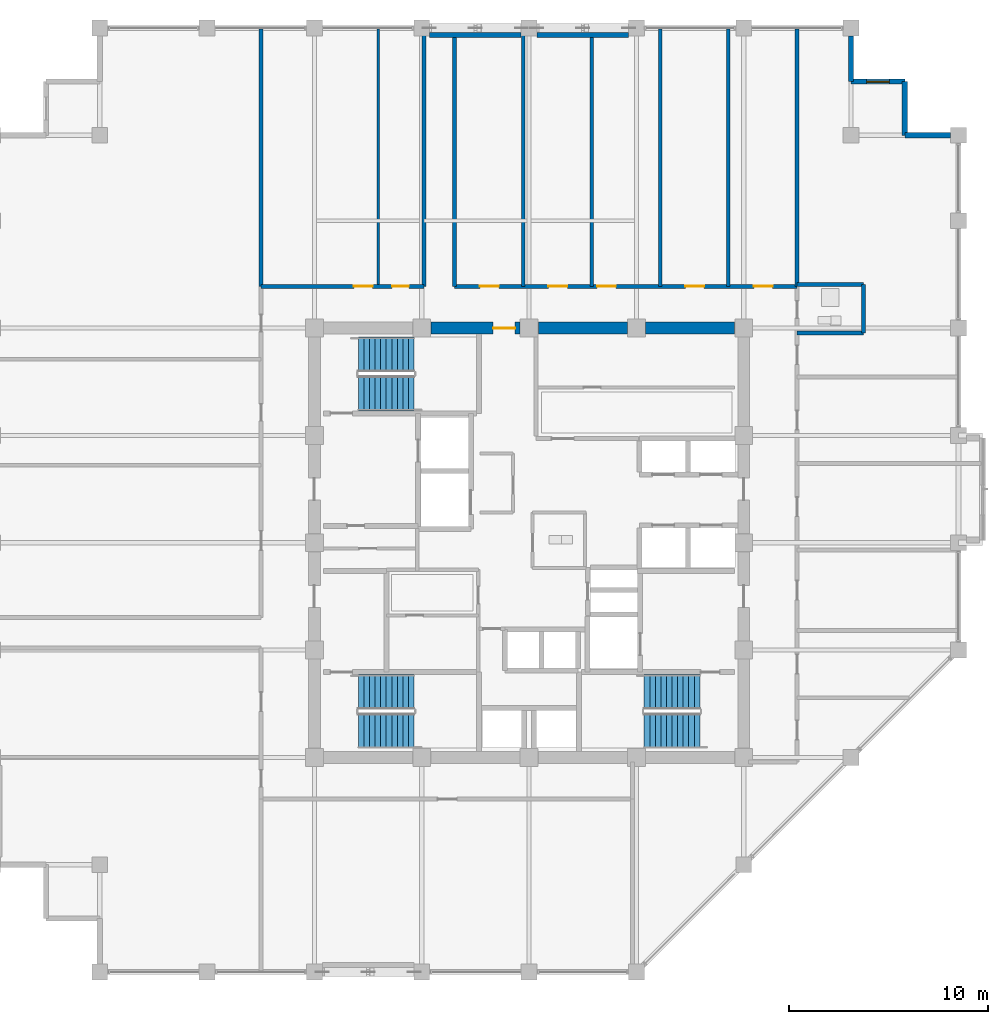
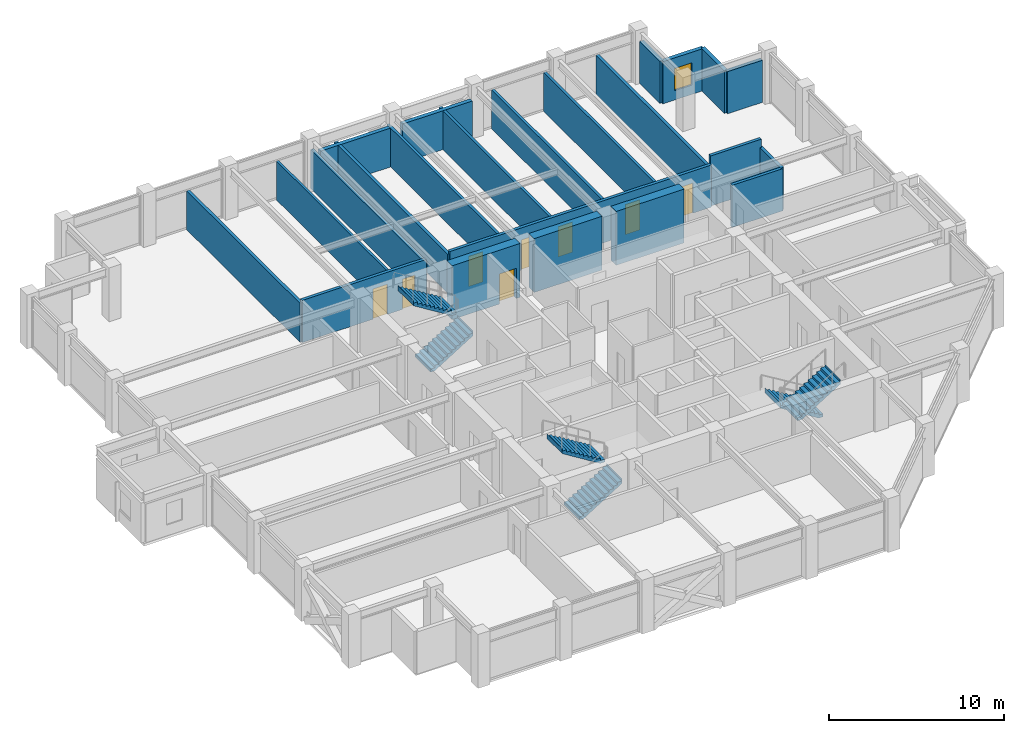
# One storey, part 25 of 28: 23 walls, 8 doors, 6 stair flights, 1 window, 9 openings, 3 elements without a shape of their own.
"""IFC4 building model written with IfcOpenShell, lengths in metres."""

from ifc_helpers import new_model, si_unit, direction, frame, frame_2d, origin, place, context, subcontext, project, spatial, polyline, rectangle, outline, extrude, material, layer, layer_set, type_object, element, fill, aggregate, save


model = new_model("IFC4")

# Units and contexts
model_context = context("Model", 3, precision=1e-05, world=origin(), true_north=direction((0.0, 1.0)))
body_context = subcontext(model_context, "Body", "Model", "MODEL_VIEW")
ifc_project = project(units=[si_unit("LENGTHUNIT", "METRE"), si_unit("AREAUNIT", "SQUARE_METRE"), si_unit("VOLUMEUNIT", "CUBIC_METRE"), si_unit("PLANEANGLEUNIT", "RADIAN"), si_unit("MASSUNIT", "GRAM", prefix="KILO")], contexts=[model_context])

# Site, building, storey
site_placement = place(None, origin())
site = spatial("IfcSite", under=ifc_project, at=site_placement, CompositionType="ELEMENT")
building_placement = place(site_placement, origin())
building = spatial("IfcBuilding", under=site, at=building_placement, Name="Surkhivell Harbour Commons", CompositionType="ELEMENT")
storey_placement = place(building_placement, frame((0.0, 0.0, 246.0)))
storey = spatial("IfcBuildingStorey", under=building, at=storey_placement, Name="L64", CompositionType="ELEMENT", Elevation=246.0)

# Wall, opening, door
ifc_material_1 = material(Name="Concrete C60/75", Category="concrete")
ifc_layer_1 = layer(ifc_material_1, 0.60009765625)
ifc_layer_set_1 = layer_set([ifc_layer_1], Name="Concrete C60/75")
wall_type_1 = type_object("IfcWallType", Name="WAL-CORE-600", PredefinedType="SHEAR", material=ifc_layer_set_1)
wall_1_placement = place(storey_placement, frame((-4.93994140625, 10.800048828125, 0.0), z_axis=(0.0, 0.0, 1.0), x_axis=(1.0, 0.0, 0.0)))
wall_1 = element("IfcWall", 1, at=wall_1_placement, inside=storey, type_object=wall_type_1, Name="L64 Core Shear Wall North 2", PredefinedType="SHEAR", context=body_context, shape_type="SweptSolid", body=[
    extrude(rectangle(XDim=4.47998046875, YDim=0.60009765625, at=frame_2d((2.239990234375, 0.0))), origin(), (0.0, 0.0, 1.0), 3.75),
])
opening_1_placement = place(wall_1_placement, frame((3.1298828125, 0.0, 0.0)))
opening_1 = element("IfcOpeningElement", 2, at=opening_1_placement, cuts=wall_1, Name="Opening ID-2", PredefinedType="OPENING", context=body_context, shape_type="SweptSolid", body=[
    extrude(rectangle(XDim=1.10009765625, YDim=2.10009765625, at=frame_2d((0.550048828125, 1.050048828125))), frame((0.0, 0.31005859375, 0.0), z_axis=(0.0, -1.0, 0.0), x_axis=(1.0, 0.0, 0.0)), (0.0, 0.0, 1.0), 0.6201171875),
])
ifc_material_2 = material(Name="Hardwood-veneered fire-rated door leaf", Category="wood")
door_type_1 = type_object("IfcDoorType", Name="DOR-FD60-1100", OperationType="NOTDEFINED", PredefinedType="DOOR", material=ifc_material_2)
door_1_placement = place(opening_1_placement, origin())
door_1 = element("IfcDoor", 3, at=door_1_placement, inside=storey, type_object=door_type_1, Name="L64 Central Core Lift Hall North Corridor Door", OperationType="SINGLE_SWING_LEFT", OverallHeight=2.10009765625, OverallWidth=1.10009765625, PredefinedType="DOOR", context=body_context, shape_type="SweptSolid", body=[
    extrude(rectangle(XDim=1.10009765625, YDim=2.10009765625, at=frame_2d((0.550048828125, 1.050048828125))), frame((0.0, 0.02490234375, 0.0), z_axis=(0.0, -1.0, 0.0), x_axis=(1.0, 0.0, 0.0)), (0.0, 0.0, 1.0), 0.050048828125),
])
fill(opening_1, door_1)

# Walls
for number, where, z_axis, x_axis, name in (
    (4, (0.4599609375, 10.800048828125, 0.0), (0.0, 0.0, 1.0), (1.0, 0.0, 0.0), "L64 Core Shear Wall North 3"),
    (5, (5.860107421875, 10.800048828125, 0.0), (0.0, 0.0, 1.0), (1.0, 0.0, 0.0), "L64 Core Shear Wall North 4"),
):
    element("IfcWall", number, at=place(storey_placement, frame(where, z_axis=z_axis, x_axis=x_axis)), inside=storey, type_object=wall_type_1, Name=name, PredefinedType="SHEAR", context=body_context, shape_type="SweptSolid", body=[
        extrude(rectangle(XDim=4.47998046875, YDim=0.60009765625, at=frame_2d((2.239990234375, 0.0))), origin(), (0.0, 0.0, 1.0), 3.75),
    ])
ifc_material_3 = material(Name="Pale-metal insulated precast concrete C45/55", Category="concrete")
ifc_layer_2 = layer(ifc_material_3, 0.260009765625)
ifc_layer_set_2 = layer_set([ifc_layer_2], Name="Pale-metal insulated precast concrete C45/55")
wall_type_2 = type_object("IfcWallType", Name="WAL-EXT-MTL260", PredefinedType="STANDARD", material=ifc_layer_set_2)
wall_2_placement = place(storey_placement, frame((21.201904296875, 20.5, 0.0), z_axis=(0.0, 0.0, 1.0), x_axis=(-1.0, 0.0, 0.0)))
element("IfcWall", 6, at=wall_2_placement, inside=storey, type_object=wall_type_2, Name="L64 Serrated Corner Facade Wall 03", PredefinedType="STANDARD", context=body_context, shape_type="SweptSolid", body=[
    extrude(rectangle(XDim=2.302001953125, YDim=0.260009765625, at=frame_2d((1.15087890625, 0.0))), origin(), (0.0, 0.0, 1.0), 2.93603515625),
])
wall_3_placement = place(storey_placement, frame((18.89990234375, 20.5, 0.0), z_axis=(0.0, 0.0, 1.0), x_axis=(0.0, 1.0, 0.0)))
element("IfcWall", 7, at=wall_3_placement, inside=storey, type_object=wall_type_2, Name="L64 Serrated Corner Facade Wall 04", PredefinedType="STANDARD", context=body_context, shape_type="SweptSolid", body=[
    extrude(rectangle(XDim=2.699951171875, YDim=0.260009765625, at=frame_2d((1.35009765625, 0.0))), origin(), (0.0, 0.0, 1.0), 2.93603515625),
])

# Wall, opening, window
wall_4_placement = place(storey_placement, frame((18.89990234375, 23.199951171875, 0.0), z_axis=(0.0, 0.0, 1.0), x_axis=(-1.0, 0.0, 0.0)))
wall_4 = element("IfcWall", 8, at=wall_4_placement, inside=storey, type_object=wall_type_2, Name="L64 Serrated Corner Facade Wall 05", PredefinedType="STANDARD", context=body_context, shape_type="SweptSolid", body=[
    extrude(rectangle(XDim=2.699951171875, YDim=0.260009765625, at=frame_2d((1.35009765625, 0.0))), origin(), (0.0, 0.0, 1.0), 2.93603515625),
])
opening_2_placement = place(wall_4_placement, frame((0.77490234375, 0.0, 0.64990234375)))
opening_2 = element("IfcOpeningElement", 9, at=opening_2_placement, cuts=wall_4, Name="Opening WN-10", PredefinedType="OPENING", context=body_context, shape_type="SweptSolid", body=[
    extrude(rectangle(XDim=1.14990234375, YDim=1.550048828125, at=frame_2d((0.574951171875, 0.77490234375))), frame((0.0, 0.139892578125, 0.0), z_axis=(0.0, -1.0, 0.0), x_axis=(1.0, 0.0, 0.0)), (0.0, 0.0, 1.0), 0.280029296875),
])
ifc_material_4 = material(Name="Thermal-break aluminium frame and double low-E glazing", Category="aluminium")
window_type = type_object("IfcWindowType", Name="WIN-SER-1150x1550", PartitioningType="SINGLE_PANEL", PredefinedType="WINDOW", material=ifc_material_4)
window_placement = place(opening_2_placement, origin())
window = element("IfcWindow", 10, at=window_placement, inside=storey, type_object=window_type, Name="L64 Serrated Alcove Window 05", OverallHeight=1.550048828125, OverallWidth=1.14990234375, PartitioningType="SINGLE_PANEL", PredefinedType="WINDOW", context=body_context, shape_type="SweptSolid", body=[
    extrude(rectangle(XDim=1.14990234375, YDim=1.550048828125, at=frame_2d((0.574951171875, 0.77490234375))), frame((0.0, 0.030029296875, 0.0), z_axis=(0.0, -1.0, 0.0), x_axis=(1.0, 0.0, 0.0)), (0.0, 0.0, 1.0), 0.06005859375),
])
fill(opening_2, window)

# Walls
wall_5_placement = place(storey_placement, frame((16.199951171875, 23.199951171875, 0.0), z_axis=(0.0, 0.0, 1.0), x_axis=(0.0, 1.0, 0.0)))
element("IfcWall", 11, at=wall_5_placement, inside=storey, type_object=wall_type_2, Name="L64 Serrated Corner Facade Wall 06", PredefinedType="STANDARD", context=body_context, shape_type="SweptSolid", body=[
    extrude(rectangle(XDim=2.302001953125, YDim=0.260009765625, at=frame_2d((1.15087890625, 0.0))), origin(), (0.0, 0.0, 1.0), 2.93603515625),
])
for number, where, z_axis, x_axis, name in (
    (12, (-0.39794921875, 25.5400390625, 0.0), (0.0, 0.0, 1.0), (-1.0, 0.0, 0.0), "L64 Braced-Bay Insulated Spandrel Backing N"),
    (13, (5.001953125, 25.5400390625, 0.0), (0.0, 0.0, 1.0), (-1.0, 0.0, 0.0), "L64 Braced-Bay Insulated Spandrel Backing N2"),
):
    element("IfcWall", number, at=place(storey_placement, frame(where, z_axis=z_axis, x_axis=x_axis)), inside=storey, type_object=wall_type_2, Name=name, PredefinedType="STANDARD", context=body_context, shape_type="SweptSolid", body=[
        extrude(rectangle(XDim=4.60400390625, YDim=0.260009765625, at=frame_2d((2.302001953125, 0.0))), origin(), (0.0, 0.0, 1.0), 2.7099609375),
    ])
ifc_material_5 = material(Name="Twin-stud acoustic fireboard partition", Category="other")
ifc_layer_3 = layer(ifc_material_5, 0.14990234375)
ifc_layer_set_3 = layer_set([ifc_layer_3], Name="Twin-stud acoustic fireboard partition")
wall_type_3 = type_object("IfcWallType", Name="WAL-INT-150", PredefinedType="PARTITIONING", material=ifc_layer_set_3)
wall_6_placement = place(storey_placement, frame((-7.590087890625, 12.89990234375, 0.0), z_axis=(0.0, 0.0, 1.0), x_axis=(0.0, 1.0, 0.0)))
element("IfcWall", 14, at=wall_6_placement, inside=storey, type_object=wall_type_3, Name="L64 North-West Partition P1", PredefinedType="PARTITIONING", context=body_context, shape_type="SweptSolid", body=[
    extrude(rectangle(XDim=12.940185546875, YDim=0.14990234375, at=frame_2d((6.47021484375, 0.0))), origin(), (0.0, 0.0, 1.0), 2.7099609375),
])
ifc_material_6 = material(Name="High-density acoustic blockwork fire partition", Category="masonry")
ifc_layer_4 = layer(ifc_material_6, 0.175048828125)
ifc_layer_set_4 = layer_set([ifc_layer_4], Name="High-density acoustic blockwork fire partition")
wall_type_4 = type_object("IfcWallType", Name="WAL-INT-175", PredefinedType="PARTITIONING", material=ifc_layer_set_4)
for number, where, z_axis, x_axis, name in (
    (15, (-0.300048828125, 12.89990234375, 0.0), (0.0, 0.0, 1.0), (0.0, 1.0, 0.0), "L64 North-East Partition P1"),
    (16, (3.139892578125, 12.89990234375, 0.0), (0.0, 0.0, 1.0), (0.0, 1.0, 0.0), "L64 North-East Partition P2"),
    (17, (6.590087890625, 12.89990234375, 0.0), (0.0, 0.0, 1.0), (0.0, 1.0, 0.0), "L64 North-East Partition P3"),
    (18, (10.030029296875, 12.89990234375, 0.0), (0.0, 0.0, 1.0), (0.0, 1.0, 0.0), "L64 North-East Partition P4"),
):
    element("IfcWall", number, at=place(storey_placement, frame(where, z_axis=z_axis, x_axis=x_axis)), inside=storey, type_object=wall_type_4, Name=name, PredefinedType="PARTITIONING", context=body_context, shape_type="SweptSolid", body=[
        extrude(rectangle(XDim=12.940185546875, YDim=0.175048828125, at=frame_2d((6.47021484375, 0.0))), origin(), (0.0, 0.0, 1.0), 2.7099609375),
    ])
ifc_material_7 = material(Name="Autoclaved aerated concrete blockwork and fire plaster", Category="masonry")
ifc_layer_5 = layer(ifc_material_7, 0.199951171875)
ifc_layer_set_5 = layer_set([ifc_layer_5], Name="Autoclaved aerated concrete blockwork and fire plaster")
wall_type_5 = type_object("IfcWallType", Name="WAL-INT-200", PredefinedType="PARTITIONING", material=ifc_layer_set_5)
for number, where, z_axis, x_axis, name in (
    (19, (13.47998046875, 12.89990234375, 0.0), (0.0, 0.0, 1.0), (0.0, 1.0, 0.0), "L64 North-East Corner Wall"),
    (20, (-13.47998046875, 12.89990234375, 0.0), (0.0, 0.0, 1.0), (0.0, 1.0, 0.0), "L64 North-West Corner Wall"),
):
    element("IfcWall", number, at=place(storey_placement, frame(where, z_axis=z_axis, x_axis=x_axis)), inside=storey, type_object=wall_type_5, Name=name, PredefinedType="PARTITIONING", context=body_context, shape_type="SweptSolid", body=[
        extrude(rectangle(XDim=12.940185546875, YDim=0.199951171875, at=frame_2d((6.47021484375, 0.0))), origin(), (0.0, 0.0, 1.0), 2.7099609375),
    ])

# Wall, openings, doors
wall_7_placement = place(storey_placement, frame((-13.47998046875, 12.89990234375, 0.0), z_axis=(0.0, 0.0, 1.0), x_axis=(1.0, 0.0, 0.0)))
wall_7 = element("IfcWall", 21, at=wall_7_placement, inside=storey, type_object=wall_type_5, Name="L64 Corridor North-West Wall", PredefinedType="PARTITIONING", context=body_context, shape_type="SweptSolid", body=[
    extrude(rectangle(XDim=8.179931640625, YDim=0.199951171875, at=frame_2d((4.08984375, 0.0))), origin(), (0.0, 0.0, 1.0), 2.93603515625),
])
opening_3_placement = place(wall_7_placement, frame((4.659912109375, 0.0, 0.0)))
opening_3 = element("IfcOpeningElement", 22, at=opening_3_placement, cuts=wall_7, Name="Opening ID-4", PredefinedType="OPENING", context=body_context, shape_type="SweptSolid", body=[
    extrude(rectangle(XDim=0.949951171875, YDim=2.10009765625, at=frame_2d((0.47509765625, 1.050048828125))), frame((0.0, 0.10986328125, 0.0), z_axis=(0.0, -1.0, 0.0), x_axis=(1.0, 0.0, 0.0)), (0.0, 0.0, 1.0), 0.219970703125),
])
opening_4_placement = place(wall_7_placement, frame((6.5849609375, 0.0, 0.0)))
opening_4 = element("IfcOpeningElement", 23, at=opening_4_placement, cuts=wall_7, Name="Opening ID-6", PredefinedType="OPENING", context=body_context, shape_type="SweptSolid", body=[
    extrude(rectangle(XDim=0.85009765625, YDim=2.10009765625, at=frame_2d((0.425048828125, 1.050048828125))), frame((0.0, 0.10986328125, 0.0), z_axis=(0.0, -1.0, 0.0), x_axis=(1.0, 0.0, 0.0)), (0.0, 0.0, 1.0), 0.219970703125),
])
door_type_2 = type_object("IfcDoorType", Name="DOR-FD30-850", OperationType="NOTDEFINED", PredefinedType="DOOR", material=ifc_material_2)
door_2_placement = place(opening_4_placement, origin())
door_2 = element("IfcDoor", 24, at=door_2_placement, inside=storey, type_object=door_type_2, Name="L64 Resident Advisory Reception Desk North-West Door", OperationType="SINGLE_SWING_RIGHT", OverallHeight=2.10009765625, OverallWidth=0.85009765625, PredefinedType="DOOR", context=body_context, shape_type="SweptSolid", body=[
    extrude(rectangle(XDim=0.85009765625, YDim=2.10009765625, at=frame_2d((0.425048828125, 1.050048828125))), frame((0.0, 0.02490234375, 0.0), z_axis=(0.0, -1.0, 0.0), x_axis=(1.0, 0.0, 0.0)), (0.0, 0.0, 1.0), 0.050048828125),
])
fill(opening_4, door_2)
door_type_3 = type_object("IfcDoorType", Name="DOR-FD60-950", OperationType="NOTDEFINED", PredefinedType="DOOR", material=ifc_material_2)
door_3_placement = place(opening_3_placement, origin())
door_3 = element("IfcDoor", 25, at=door_3_placement, inside=storey, type_object=door_type_3, Name="L64 Zone Concierge Reception Foyer North-West Door", OperationType="SINGLE_SWING_LEFT", OverallHeight=2.10009765625, OverallWidth=0.949951171875, PredefinedType="DOOR", context=body_context, shape_type="SweptSolid", body=[
    extrude(rectangle(XDim=0.949951171875, YDim=2.10009765625, at=frame_2d((0.47509765625, 1.050048828125))), frame((0.0, 0.02490234375, 0.0), z_axis=(0.0, -1.0, 0.0), x_axis=(1.0, 0.0, 0.0)), (0.0, 0.0, 1.0), 0.050048828125),
])
fill(opening_3, door_3)

wall_8_placement = place(storey_placement, frame((-3.75, 12.89990234375, 0.0), z_axis=(0.0, 0.0, 1.0), x_axis=(1.0, 0.0, 0.0)))
wall_8 = element("IfcWall", 26, at=wall_8_placement, inside=storey, type_object=wall_type_5, Name="L64 Corridor North-East Wall", PredefinedType="PARTITIONING", context=body_context, shape_type="SweptSolid", body=[
    extrude(rectangle(XDim=17.22998046875, YDim=0.199951171875, at=frame_2d((8.614990234375, 0.0))), origin(), (0.0, 0.0, 1.0), 2.93603515625),
])
opening_5_placement = place(wall_8_placement, frame((1.27490234375, 0.0, 0.0)))
opening_5 = element("IfcOpeningElement", 27, at=opening_5_placement, cuts=wall_8, Name="Opening ID-4", PredefinedType="OPENING", context=body_context, shape_type="SweptSolid", body=[
    extrude(rectangle(XDim=0.949951171875, YDim=2.10009765625, at=frame_2d((0.47509765625, 1.050048828125))), frame((0.0, 0.10986328125, 0.0), z_axis=(0.0, -1.0, 0.0), x_axis=(1.0, 0.0, 0.0)), (0.0, 0.0, 1.0), 0.219970703125),
])
opening_6_placement = place(wall_8_placement, frame((4.719970703125, 0.0, 0.0)))
opening_6 = element("IfcOpeningElement", 28, at=opening_6_placement, cuts=wall_8, Name="Opening ID-4", PredefinedType="OPENING", context=body_context, shape_type="SweptSolid", body=[
    extrude(rectangle(XDim=0.949951171875, YDim=2.10009765625, at=frame_2d((0.47509765625, 1.050048828125))), frame((0.0, 0.10986328125, 0.0), z_axis=(0.0, -1.0, 0.0), x_axis=(1.0, 0.0, 0.0)), (0.0, 0.0, 1.0), 0.219970703125),
])
opening_7_placement = place(wall_8_placement, frame((7.169921875, 0.0, 0.0)))
opening_7 = element("IfcOpeningElement", 29, at=opening_7_placement, cuts=wall_8, Name="Opening ID-4", PredefinedType="OPENING", context=body_context, shape_type="SweptSolid", body=[
    extrude(rectangle(XDim=0.949951171875, YDim=2.10009765625, at=frame_2d((0.47509765625, 1.050048828125))), frame((0.0, 0.10986328125, 0.0), z_axis=(0.0, -1.0, 0.0), x_axis=(1.0, 0.0, 0.0)), (0.0, 0.0, 1.0), 0.219970703125),
])
opening_8_placement = place(wall_8_placement, frame((11.610107421875, 0.0, 0.0)))
opening_8 = element("IfcOpeningElement", 30, at=opening_8_placement, cuts=wall_8, Name="Opening ID-4", PredefinedType="OPENING", context=body_context, shape_type="SweptSolid", body=[
    extrude(rectangle(XDim=0.949951171875, YDim=2.10009765625, at=frame_2d((0.47509765625, 1.050048828125))), frame((0.0, 0.10986328125, 0.0), z_axis=(0.0, -1.0, 0.0), x_axis=(1.0, 0.0, 0.0)), (0.0, 0.0, 1.0), 0.219970703125),
])
opening_9_placement = place(wall_8_placement, frame((15.054931640625, 0.0, 0.0)))
opening_9 = element("IfcOpeningElement", 31, at=opening_9_placement, cuts=wall_8, Name="Opening ID-4", PredefinedType="OPENING", context=body_context, shape_type="SweptSolid", body=[
    extrude(rectangle(XDim=0.949951171875, YDim=2.10009765625, at=frame_2d((0.47509765625, 1.050048828125))), frame((0.0, 0.10986328125, 0.0), z_axis=(0.0, -1.0, 0.0), x_axis=(1.0, 0.0, 0.0)), (0.0, 0.0, 1.0), 0.219970703125),
])
door_4_placement = place(opening_5_placement, origin())
door_4 = element("IfcDoor", 32, at=door_4_placement, inside=storey, type_object=door_type_3, Name="L64 Co-Working Study Office Pod 1 North-East Door", OperationType="SINGLE_SWING_LEFT", OverallHeight=2.10009765625, OverallWidth=0.949951171875, PredefinedType="DOOR", context=body_context, shape_type="SweptSolid", body=[
    extrude(rectangle(XDim=0.949951171875, YDim=2.10009765625, at=frame_2d((0.47509765625, 1.050048828125))), frame((0.0, 0.02490234375, 0.0), z_axis=(0.0, -1.0, 0.0), x_axis=(1.0, 0.0, 0.0)), (0.0, 0.0, 1.0), 0.050048828125),
])
fill(opening_5, door_4)
door_5_placement = place(opening_6_placement, origin())
door_5 = element("IfcDoor", 33, at=door_5_placement, inside=storey, type_object=door_type_3, Name="L64 Academic Seminar Pod 2 North-East Door", OperationType="SINGLE_SWING_RIGHT", OverallHeight=2.10009765625, OverallWidth=0.949951171875, PredefinedType="DOOR", context=body_context, shape_type="SweptSolid", body=[
    extrude(rectangle(XDim=0.949951171875, YDim=2.10009765625, at=frame_2d((0.47509765625, 1.050048828125))), frame((0.0, 0.02490234375, 0.0), z_axis=(0.0, -1.0, 0.0), x_axis=(1.0, 0.0, 0.0)), (0.0, 0.0, 1.0), 0.050048828125),
])
fill(opening_6, door_5)
door_6_placement = place(opening_7_placement, origin())
door_6 = element("IfcDoor", 34, at=door_6_placement, inside=storey, type_object=door_type_3, Name="L64 Harbour Espresso Cafe Shop 3 North-East Door", OperationType="SINGLE_SWING_LEFT", OverallHeight=2.10009765625, OverallWidth=0.949951171875, PredefinedType="DOOR", context=body_context, shape_type="SweptSolid", body=[
    extrude(rectangle(XDim=0.949951171875, YDim=2.10009765625, at=frame_2d((0.47509765625, 1.050048828125))), frame((0.0, 0.02490234375, 0.0), z_axis=(0.0, -1.0, 0.0), x_axis=(1.0, 0.0, 0.0)), (0.0, 0.0, 1.0), 0.050048828125),
])
fill(opening_7, door_6)
door_7_placement = place(opening_8_placement, origin())
door_7 = element("IfcDoor", 35, at=door_7_placement, inside=storey, type_object=door_type_3, Name="L64 Zone Concierge Reception Foyer 4 North-East Door", OperationType="SINGLE_SWING_RIGHT", OverallHeight=2.10009765625, OverallWidth=0.949951171875, PredefinedType="DOOR", context=body_context, shape_type="SweptSolid", body=[
    extrude(rectangle(XDim=0.949951171875, YDim=2.10009765625, at=frame_2d((0.47509765625, 1.050048828125))), frame((0.0, 0.02490234375, 0.0), z_axis=(0.0, -1.0, 0.0), x_axis=(1.0, 0.0, 0.0)), (0.0, 0.0, 1.0), 0.050048828125),
])
fill(opening_8, door_7)
door_8_placement = place(opening_9_placement, origin())
door_8 = element("IfcDoor", 36, at=door_8_placement, inside=storey, type_object=door_type_3, Name="L64 Shared Communal Kitchen 5 North-East Door", OperationType="SINGLE_SWING_LEFT", OverallHeight=2.10009765625, OverallWidth=0.949951171875, PredefinedType="DOOR", context=body_context, shape_type="SweptSolid", body=[
    extrude(rectangle(XDim=0.949951171875, YDim=2.10009765625, at=frame_2d((0.47509765625, 1.050048828125))), frame((0.0, 0.02490234375, 0.0), z_axis=(0.0, -1.0, 0.0), x_axis=(1.0, 0.0, 0.0)), (0.0, 0.0, 1.0), 0.050048828125),
])
fill(opening_9, door_8)

# Walls
for number, where, z_axis, x_axis, name in (
    (37, (-3.75, 12.89990234375, 0.0), (0.0, 0.0, 1.0), (0.0, 1.0, 0.0), "L64 North Spur East Wall"),
    (38, (-5.300048828125, 12.89990234375, 0.0), (0.0, 0.0, 1.0), (0.0, 1.0, 0.0), "L64 North Spur West Wall"),
):
    element("IfcWall", number, at=place(storey_placement, frame(where, z_axis=z_axis, x_axis=x_axis)), inside=storey, type_object=wall_type_5, Name=name, PredefinedType="PARTITIONING", context=body_context, shape_type="SweptSolid", body=[
        extrude(rectangle(XDim=12.940185546875, YDim=0.199951171875, at=frame_2d((6.47021484375, 0.0))), origin(), (0.0, 0.0, 1.0), 2.7099609375),
    ])
wall_9_placement = place(storey_placement, frame((16.830078125, 10.550048828125, 0.0), z_axis=(0.0, 0.0, 1.0), x_axis=(0.0, 1.0, 0.0)))
element("IfcWall", 39, at=wall_9_placement, inside=storey, type_object=wall_type_5, Name="L64 East Partition BTHB", PredefinedType="PARTITIONING", context=body_context, shape_type="SweptSolid", body=[
    extrude(rectangle(XDim=2.449951171875, YDim=0.199951171875, at=frame_2d((1.22509765625, 0.0))), origin(), (0.0, 0.0, 1.0), 2.93603515625),
])
wall_10_placement = place(storey_placement, frame((13.47998046875, 13.0, 0.0), z_axis=(0.0, 0.0, 1.0), x_axis=(1.0, 0.0, 0.0)))
element("IfcWall", 40, at=wall_10_placement, inside=storey, type_object=wall_type_5, Name="L64 East Partition BTHN", PredefinedType="PARTITIONING", context=body_context, shape_type="SweptSolid", body=[
    extrude(rectangle(XDim=3.35009765625, YDim=0.199951171875, at=frame_2d((1.675048828125, 0.0))), origin(), (0.0, 0.0, 1.0), 3.5),
])
wall_11_placement = place(storey_placement, frame((13.47998046875, 10.550048828125, 0.0), z_axis=(0.0, 0.0, 1.0), x_axis=(1.0, 0.0, 0.0)))
element("IfcWall", 41, at=wall_11_placement, inside=storey, type_object=wall_type_5, Name="L64 East Partition BTHS", PredefinedType="PARTITIONING", context=body_context, shape_type="SweptSolid", body=[
    extrude(rectangle(XDim=3.35009765625, YDim=0.199951171875, at=frame_2d((1.675048828125, 0.0))), origin(), (0.0, 0.0, 1.0), 2.93603515625),
])

# Stair, stair flights
ifc_material_8 = material(Name="Precast concrete C45/55", Category="concrete")
stair_type = type_object("IfcStairType", Name="STR-DL-375", PredefinedType="HALF_TURN_STAIR", material=ifc_material_8)
stair_1_placement = place(storey_placement, origin())
stair_1 = element("IfcStair", 42, at=stair_1_placement, inside=storey, type_object=stair_type, Name="L64 Core Exit Stair ST1", PredefinedType="HALF_TURN_STAIR")
stair_flight_type = type_object("IfcStairFlightType", Name="STF-DL-375", PredefinedType="STRAIGHT", material=ifc_material_8)
stair_flight_1_placement = place(storey_placement, frame((-8.590087890625, 7.514892578125, 0.0), z_axis=(0.0, 0.0, 1.0), x_axis=(1.0, 0.0, 0.0)))
stair_flight_1 = element("IfcStairFlight", 43, at=stair_flight_1_placement, type_object=stair_flight_type, Name="ST1 flight 1", NumberOfRisers=11, NumberOfTreads=10, PredefinedType="STRAIGHT", RiserHeight=0.170454545, TreadLength=0.28, context=body_context, shape_type="SweptSolid", body=[
    extrude(outline(polyline([(-0.0029296875, -0.034912109375), (-0.0029296875, 0.0), (0.0, 0.0), (0.0, 0.17041015625), (0.280029296875, 0.17041015625), (0.280029296875, 0.3408203125), (0.56005859375, 0.3408203125), (0.56005859375, 0.511474609375), (0.840087890625, 0.511474609375), (0.840087890625, 0.681884765625), (1.1201171875, 0.681884765625), (1.1201171875, 0.852294921875), (1.39990234375, 0.852294921875), (1.39990234375, 1.022705078125), (1.679931640625, 1.022705078125), (1.679931640625, 1.193115234375), (1.9599609375, 1.193115234375), (1.9599609375, 1.363525390625), (2.239990234375, 1.363525390625), (2.239990234375, 1.5341796875), (2.52001953125, 1.5341796875), (2.52001953125, 1.70458984375), (2.800048828125, 1.70458984375), (2.800048828125, 1.875), (2.802978515625, 1.875), (2.802978515625, 1.529052734375), (0.288330078125, -0.034912109375), (-0.0029296875, -0.034912109375)])), frame((0.0, 0.875, 0.0), z_axis=(0.0, -1.0, 0.0), x_axis=(1.0, 0.0, 0.0)), (0.0, 0.0, 1.0), 1.75),
])
stair_flight_2_placement = place(storey_placement, frame((-5.7900390625, 9.465087890625, 1.875), z_axis=(0.0, 0.0, 1.0), x_axis=(-1.0, 0.0, 0.0)))
stair_flight_2 = element("IfcStairFlight", 44, at=stair_flight_2_placement, type_object=stair_flight_type, Name="ST1 flight 2", NumberOfRisers=11, NumberOfTreads=10, PredefinedType="STRAIGHT", RiserHeight=0.170454545, TreadLength=0.28, context=body_context, shape_type="SweptSolid", body=[
    extrude(outline(polyline([(-0.0029296875, -0.034912109375), (-0.0029296875, 0.0), (0.0, 0.0), (0.0, 0.17041015625), (0.280029296875, 0.17041015625), (0.280029296875, 0.3408203125), (0.56005859375, 0.3408203125), (0.56005859375, 0.511474609375), (0.840087890625, 0.511474609375), (0.840087890625, 0.681884765625), (1.1201171875, 0.681884765625), (1.1201171875, 0.852294921875), (1.39990234375, 0.852294921875), (1.39990234375, 1.022705078125), (1.679931640625, 1.022705078125), (1.679931640625, 1.193115234375), (1.9599609375, 1.193115234375), (1.9599609375, 1.363525390625), (2.239990234375, 1.363525390625), (2.239990234375, 1.5341796875), (2.52001953125, 1.5341796875), (2.52001953125, 1.70458984375), (2.800048828125, 1.70458984375), (2.800048828125, 1.875), (2.802978515625, 1.875), (2.802978515625, 1.529052734375), (0.288330078125, -0.034912109375), (-0.0029296875, -0.034912109375)])), frame((0.0, 0.875, 0.0), z_axis=(0.0, -1.0, 0.0), x_axis=(1.0, 0.0, 0.0)), (0.0, 0.0, 1.0), 1.75),
])
aggregate(stair_1, [stair_flight_1, stair_flight_2])

stair_2_placement = place(storey_placement, origin())
stair_2 = element("IfcStair", 45, at=stair_2_placement, inside=storey, type_object=stair_type, Name="L64 Core Exit Stair ST2", PredefinedType="HALF_TURN_STAIR")
stair_flight_3_placement = place(storey_placement, frame((8.590087890625, -7.514892578125, 0.0), z_axis=(0.0, 0.0, 1.0), x_axis=(-1.0, 0.0, 0.0)))
stair_flight_3 = element("IfcStairFlight", 46, at=stair_flight_3_placement, type_object=stair_flight_type, Name="ST2 flight 1", NumberOfRisers=11, NumberOfTreads=10, PredefinedType="STRAIGHT", RiserHeight=0.170454545, TreadLength=0.28, context=body_context, shape_type="SweptSolid", body=[
    extrude(outline(polyline([(-0.0029296875, -0.034912109375), (-0.0029296875, 0.0), (0.0, 0.0), (0.0, 0.17041015625), (0.280029296875, 0.17041015625), (0.280029296875, 0.3408203125), (0.56005859375, 0.3408203125), (0.56005859375, 0.511474609375), (0.840087890625, 0.511474609375), (0.840087890625, 0.681884765625), (1.1201171875, 0.681884765625), (1.1201171875, 0.852294921875), (1.39990234375, 0.852294921875), (1.39990234375, 1.022705078125), (1.679931640625, 1.022705078125), (1.679931640625, 1.193115234375), (1.9599609375, 1.193115234375), (1.9599609375, 1.363525390625), (2.239990234375, 1.363525390625), (2.239990234375, 1.5341796875), (2.52001953125, 1.5341796875), (2.52001953125, 1.70458984375), (2.800048828125, 1.70458984375), (2.800048828125, 1.875), (2.802978515625, 1.875), (2.802978515625, 1.529052734375), (0.288330078125, -0.034912109375), (-0.0029296875, -0.034912109375)])), frame((0.0, 0.875, 0.0), z_axis=(0.0, -1.0, 0.0), x_axis=(1.0, 0.0, 0.0)), (0.0, 0.0, 1.0), 1.75),
])
stair_flight_4_placement = place(storey_placement, frame((5.7900390625, -9.465087890625, 1.875), z_axis=(0.0, 0.0, 1.0), x_axis=(1.0, 0.0, 0.0)))
stair_flight_4 = element("IfcStairFlight", 47, at=stair_flight_4_placement, type_object=stair_flight_type, Name="ST2 flight 2", NumberOfRisers=11, NumberOfTreads=10, PredefinedType="STRAIGHT", RiserHeight=0.170454545, TreadLength=0.28, context=body_context, shape_type="SweptSolid", body=[
    extrude(outline(polyline([(-0.0029296875, -0.034912109375), (-0.0029296875, 0.0), (0.0, 0.0), (0.0, 0.17041015625), (0.280029296875, 0.17041015625), (0.280029296875, 0.3408203125), (0.56005859375, 0.3408203125), (0.56005859375, 0.511474609375), (0.840087890625, 0.511474609375), (0.840087890625, 0.681884765625), (1.1201171875, 0.681884765625), (1.1201171875, 0.852294921875), (1.39990234375, 0.852294921875), (1.39990234375, 1.022705078125), (1.679931640625, 1.022705078125), (1.679931640625, 1.193115234375), (1.9599609375, 1.193115234375), (1.9599609375, 1.363525390625), (2.239990234375, 1.363525390625), (2.239990234375, 1.5341796875), (2.52001953125, 1.5341796875), (2.52001953125, 1.70458984375), (2.800048828125, 1.70458984375), (2.800048828125, 1.875), (2.802978515625, 1.875), (2.802978515625, 1.529052734375), (0.288330078125, -0.034912109375), (-0.0029296875, -0.034912109375)])), frame((0.0, 0.875, 0.0), z_axis=(0.0, -1.0, 0.0), x_axis=(1.0, 0.0, 0.0)), (0.0, 0.0, 1.0), 1.75),
])
aggregate(stair_2, [stair_flight_3, stair_flight_4])

stair_3_placement = place(storey_placement, origin())
stair_3 = element("IfcStair", 48, at=stair_3_placement, inside=storey, type_object=stair_type, Name="L64 Core Exit Stair ST3", PredefinedType="HALF_TURN_STAIR")
stair_flight_5_placement = place(storey_placement, frame((-8.590087890625, -9.465087890625, 0.0), z_axis=(0.0, 0.0, 1.0), x_axis=(1.0, 0.0, 0.0)))
stair_flight_5 = element("IfcStairFlight", 49, at=stair_flight_5_placement, type_object=stair_flight_type, Name="ST3 flight 1", NumberOfRisers=11, NumberOfTreads=10, PredefinedType="STRAIGHT", RiserHeight=0.170454545, TreadLength=0.28, context=body_context, shape_type="SweptSolid", body=[
    extrude(outline(polyline([(-0.0029296875, -0.034912109375), (-0.0029296875, 0.0), (0.0, 0.0), (0.0, 0.17041015625), (0.280029296875, 0.17041015625), (0.280029296875, 0.3408203125), (0.56005859375, 0.3408203125), (0.56005859375, 0.511474609375), (0.840087890625, 0.511474609375), (0.840087890625, 0.681884765625), (1.1201171875, 0.681884765625), (1.1201171875, 0.852294921875), (1.39990234375, 0.852294921875), (1.39990234375, 1.022705078125), (1.679931640625, 1.022705078125), (1.679931640625, 1.193115234375), (1.9599609375, 1.193115234375), (1.9599609375, 1.363525390625), (2.239990234375, 1.363525390625), (2.239990234375, 1.5341796875), (2.52001953125, 1.5341796875), (2.52001953125, 1.70458984375), (2.800048828125, 1.70458984375), (2.800048828125, 1.875), (2.802978515625, 1.875), (2.802978515625, 1.529052734375), (0.288330078125, -0.034912109375), (-0.0029296875, -0.034912109375)])), frame((0.0, 0.875, 0.0), z_axis=(0.0, -1.0, 0.0), x_axis=(1.0, 0.0, 0.0)), (0.0, 0.0, 1.0), 1.75),
])
stair_flight_6_placement = place(storey_placement, frame((-5.7900390625, -7.514892578125, 1.875), z_axis=(0.0, 0.0, 1.0), x_axis=(-1.0, 0.0, 0.0)))
stair_flight_6 = element("IfcStairFlight", 50, at=stair_flight_6_placement, type_object=stair_flight_type, Name="ST3 flight 2", NumberOfRisers=11, NumberOfTreads=10, PredefinedType="STRAIGHT", RiserHeight=0.170454545, TreadLength=0.28, context=body_context, shape_type="SweptSolid", body=[
    extrude(outline(polyline([(-0.0029296875, -0.034912109375), (-0.0029296875, 0.0), (0.0, 0.0), (0.0, 0.17041015625), (0.280029296875, 0.17041015625), (0.280029296875, 0.3408203125), (0.56005859375, 0.3408203125), (0.56005859375, 0.511474609375), (0.840087890625, 0.511474609375), (0.840087890625, 0.681884765625), (1.1201171875, 0.681884765625), (1.1201171875, 0.852294921875), (1.39990234375, 0.852294921875), (1.39990234375, 1.022705078125), (1.679931640625, 1.022705078125), (1.679931640625, 1.193115234375), (1.9599609375, 1.193115234375), (1.9599609375, 1.363525390625), (2.239990234375, 1.363525390625), (2.239990234375, 1.5341796875), (2.52001953125, 1.5341796875), (2.52001953125, 1.70458984375), (2.800048828125, 1.70458984375), (2.800048828125, 1.875), (2.802978515625, 1.875), (2.802978515625, 1.529052734375), (0.288330078125, -0.034912109375), (-0.0029296875, -0.034912109375)])), frame((0.0, 0.875, 0.0), z_axis=(0.0, -1.0, 0.0), x_axis=(1.0, 0.0, 0.0)), (0.0, 0.0, 1.0), 1.75),
])
aggregate(stair_3, [stair_flight_5, stair_flight_6])

save(model, "model.ifc")
